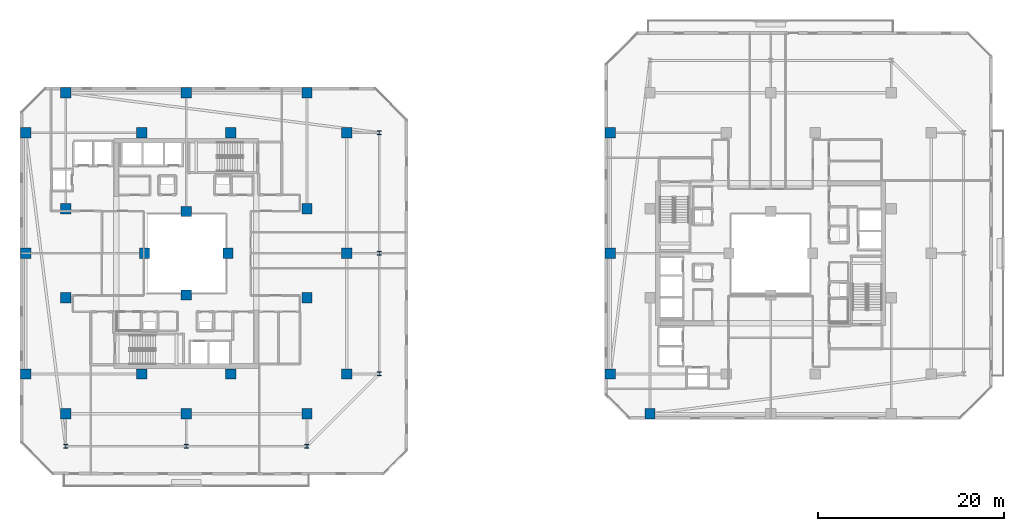
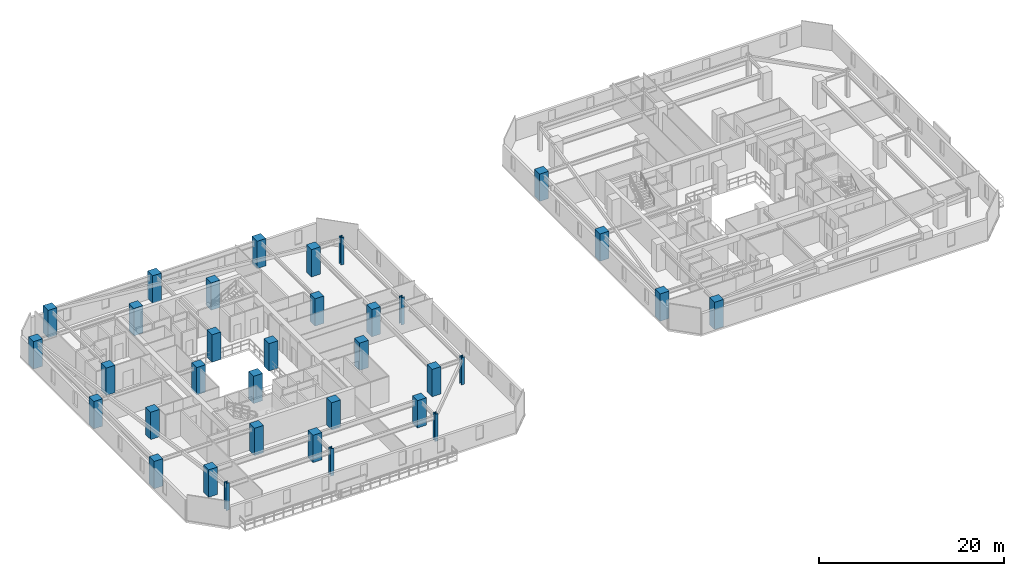
# One storey, part 1 of 33: 34 columns.
"""IFC4 building model written with IfcOpenShell, lengths in metres."""

from ifc_helpers import new_model, si_unit, direction, frame, origin, origin_2d, place, context, subcontext, project, spatial, rectangle, i_section, extrude, material, material_profile, profile_set, type_object, element, save


model = new_model("IFC4")

# Units and contexts
model_context = context("Model", 3, precision=1e-05, world=origin(), true_north=direction((0.0, 1.0)))
body_context = subcontext(model_context, "Body", "Model", "MODEL_VIEW")
ifc_project = project(units=[si_unit("LENGTHUNIT", "METRE"), si_unit("AREAUNIT", "SQUARE_METRE"), si_unit("VOLUMEUNIT", "CUBIC_METRE"), si_unit("PLANEANGLEUNIT", "RADIAN"), si_unit("MASSUNIT", "GRAM", prefix="KILO")], contexts=[model_context])

# Site, building, storey
site_placement = place(None, origin())
site = spatial("IfcSite", under=ifc_project, at=site_placement, CompositionType="ELEMENT")
building_placement = place(site_placement, origin())
building = spatial("IfcBuilding", under=site, at=building_placement, Name="Thornwick Lancets Civic Towers", CompositionType="ELEMENT")
storey_placement = place(building_placement, frame((0.0, 0.0, 159.89990234375)))
storey = spatial("IfcBuildingStorey", under=building, at=storey_placement, Name="L42", CompositionType="ELEMENT", Elevation=159.89990234375)

# Columns
ifc_material_1 = material(Name="Concrete C50/60", Category="concrete")
ifc_material_profile_1 = material_profile(ifc_material_1, rectangle(XDim=1.10009765625, YDim=1.10009765625, at=origin_2d()), Name="RC 1100x1100")
ifc_profile_set_1 = profile_set([ifc_material_profile_1], Name="Concrete C50/60")
column_type_1 = type_object("IfcColumnType", Name="COL_RC_1100", PredefinedType="COLUMN", material=ifc_profile_set_1)
for number, where, z_axis, x_axis, name in (
    (1, (12.5, 9.699951171875, 0.0), (0.0, 0.0, 1.0), (1.0, 0.0, 0.0), "L42 Spine Mega-Column A01"),
    (2, (25.5, 9.699951171875, 0.0), (0.0, 0.0, 1.0), (1.0, 0.0, 0.0), "L42 Spine Mega-Column A02"),
    (3, (38.5, 9.699951171875, 0.0), (0.0, 0.0, 1.0), (1.0, 0.0, 0.0), "L42 Spine Mega-Column A03"),
    (4, (42.800048828125, 14.0, 0.0), (0.0, 0.0, 1.0), (1.0, 0.0, 0.0), "L42 Spine Mega-Column A04"),
    (5, (42.800048828125, 27.0, 0.0), (0.0, 0.0, 1.0), (1.0, 0.0, 0.0), "L42 Spine Mega-Column A05"),
    (6, (42.800048828125, 40.0, 0.0), (0.0, 0.0, 1.0), (1.0, 0.0, 0.0), "L42 Spine Mega-Column A06"),
    (7, (12.5, 44.300048828125, 0.0), (0.0, 0.0, 1.0), (1.0, 0.0, 0.0), "L42 Spine Mega-Column A07"),
    (8, (25.5, 44.300048828125, 0.0), (0.0, 0.0, 1.0), (1.0, 0.0, 0.0), "L42 Spine Mega-Column A08"),
    (9, (38.5, 44.300048828125, 0.0), (0.0, 0.0, 1.0), (1.0, 0.0, 0.0), "L42 Spine Mega-Column A09"),
    (10, (8.199951171875, 14.0, 0.0), (0.0, 0.0, 1.0), (1.0, 0.0, 0.0), "L42 Spine Mega-Column A10"),
    (11, (8.199951171875, 27.0, 0.0), (0.0, 0.0, 1.0), (1.0, 0.0, 0.0), "L42 Spine Mega-Column A11"),
    (12, (8.199951171875, 40.0, 0.0), (0.0, 0.0, 1.0), (1.0, 0.0, 0.0), "L42 Spine Mega-Column A12"),
    (13, (12.5, 22.199951171875, 0.0), (0.0, 0.0, 1.0), (1.0, 0.0, 0.0), "L42 Spine Mega-Column A13"),
    (14, (38.5, 22.199951171875, 0.0), (0.0, 0.0, 1.0), (1.0, 0.0, 0.0), "L42 Spine Mega-Column A14"),
    (15, (12.5, 31.800048828125, 0.0), (0.0, 0.0, 1.0), (1.0, 0.0, 0.0), "L42 Spine Mega-Column A15"),
    (16, (38.5, 31.800048828125, 0.0), (0.0, 0.0, 1.0), (1.0, 0.0, 0.0), "L42 Spine Mega-Column A16"),
    (17, (20.699951171875, 14.0, 0.0), (0.0, 0.0, 1.0), (1.0, 0.0, 0.0), "L42 Spine Mega-Column A17"),
    (18, (30.300048828125, 14.0, 0.0), (0.0, 0.0, 1.0), (1.0, 0.0, 0.0), "L42 Spine Mega-Column A18"),
    (19, (20.699951171875, 40.0, 0.0), (0.0, 0.0, 1.0), (1.0, 0.0, 0.0), "L42 Spine Mega-Column A19"),
    (20, (30.300048828125, 40.0, 0.0), (0.0, 0.0, 1.0), (1.0, 0.0, 0.0), "L42 Spine Mega-Column A20"),
    (21, (25.5, 22.5, 0.0), (0.0, 0.0, 1.0), (1.0, 0.0, 0.0), "L42 Spine Mega-Column A21"),
    (22, (25.5, 31.5, 0.0), (0.0, 0.0, 1.0), (1.0, 0.0, 0.0), "L42 Spine Mega-Column A22"),
    (23, (21.0, 27.0, 0.0), (0.0, 0.0, 1.0), (1.0, 0.0, 0.0), "L42 Spine Mega-Column A23"),
    (24, (30.0, 27.0, 0.0), (0.0, 0.0, 1.0), (1.0, 0.0, 0.0), "L42 Spine Mega-Column A24"),
    (25, (71.199951171875, 14.0, 0.0), (0.0, 0.0, 1.0), (1.0, 0.0, 0.0), "L42 Spine Mega-Column B07"),
    (26, (71.199951171875, 27.0, 0.0), (0.0, 0.0, 1.0), (1.0, 0.0, 0.0), "L42 Spine Mega-Column B08"),
    (27, (71.199951171875, 40.0, 0.0), (0.0, 0.0, 1.0), (1.0, 0.0, 0.0), "L42 Spine Mega-Column B09"),
    (28, (75.5, 9.699951171875, 0.0), (0.0, 0.0, 1.0), (1.0, 0.0, 0.0), "L42 Spine Mega-Column B12"),
):
    element("IfcColumn", number, at=place(storey_placement, frame(where, z_axis=z_axis, x_axis=x_axis)), inside=storey, type_object=column_type_1, Name=name, PredefinedType="COLUMN", context=body_context, shape_type="SweptSolid", body=[
        extrude(rectangle(XDim=1.10009765625, YDim=1.10009765625, at=origin_2d()), origin(), (0.0, 0.0, 1.0), 3.60009765625),
    ])
ifc_material_2 = material(Name="Steel S460M", Category="steel")
ifc_material_profile_2 = material_profile(ifc_material_2, i_section(OverallWidth=0.406982421875, OverallDepth=0.4189453125, WebThickness=0.030517578125, FlangeThickness=0.04931640625, FilletRadius=0.01513671875, at=origin_2d()), Name="UKC 356x406x393")
ifc_profile_set_2 = profile_set([ifc_material_profile_2], Name="Steel S460M")
column_type_2 = type_object("IfcColumnType", Name="COL_UKC_393", PredefinedType="COLUMN", material=ifc_profile_set_2)
for number, where, z_axis, x_axis, name in (
    (29, (12.5, 6.199951171875, 0.0), (0.0, 0.0, 1.0), (1.0, 0.0, 0.0), "L42 Block Perimeter Column A01"),
    (30, (25.5, 6.199951171875, 0.0), (0.0, 0.0, 1.0), (1.0, 0.0, 0.0), "L42 Block Perimeter Column A02"),
    (31, (38.5, 6.199951171875, 0.0), (0.0, 0.0, 1.0), (1.0, 0.0, 0.0), "L42 Block Perimeter Column A03"),
    (32, (46.300048828125, 14.0, 0.0), (0.0, 0.0, 1.0), (1.0, 0.0, 0.0), "L42 Block Perimeter Column A04"),
    (33, (46.300048828125, 27.0, 0.0), (0.0, 0.0, 1.0), (1.0, 0.0, 0.0), "L42 Block Perimeter Column A05"),
    (34, (46.300048828125, 40.0, 0.0), (0.0, 0.0, 1.0), (1.0, 0.0, 0.0), "L42 Block Perimeter Column A06"),
):
    element("IfcColumn", number, at=place(storey_placement, frame(where, z_axis=z_axis, x_axis=x_axis)), inside=storey, type_object=column_type_2, Name=name, PredefinedType="COLUMN", context=body_context, shape_type="SweptSolid", body=[
        extrude(i_section(OverallWidth=0.406982421875, OverallDepth=0.4189453125, WebThickness=0.030517578125, FlangeThickness=0.04931640625, FilletRadius=0.01513671875, at=origin_2d()), origin(), (0.0, 0.0, 1.0), 3.60009765625),
    ])

save(model, "model.ifc")
